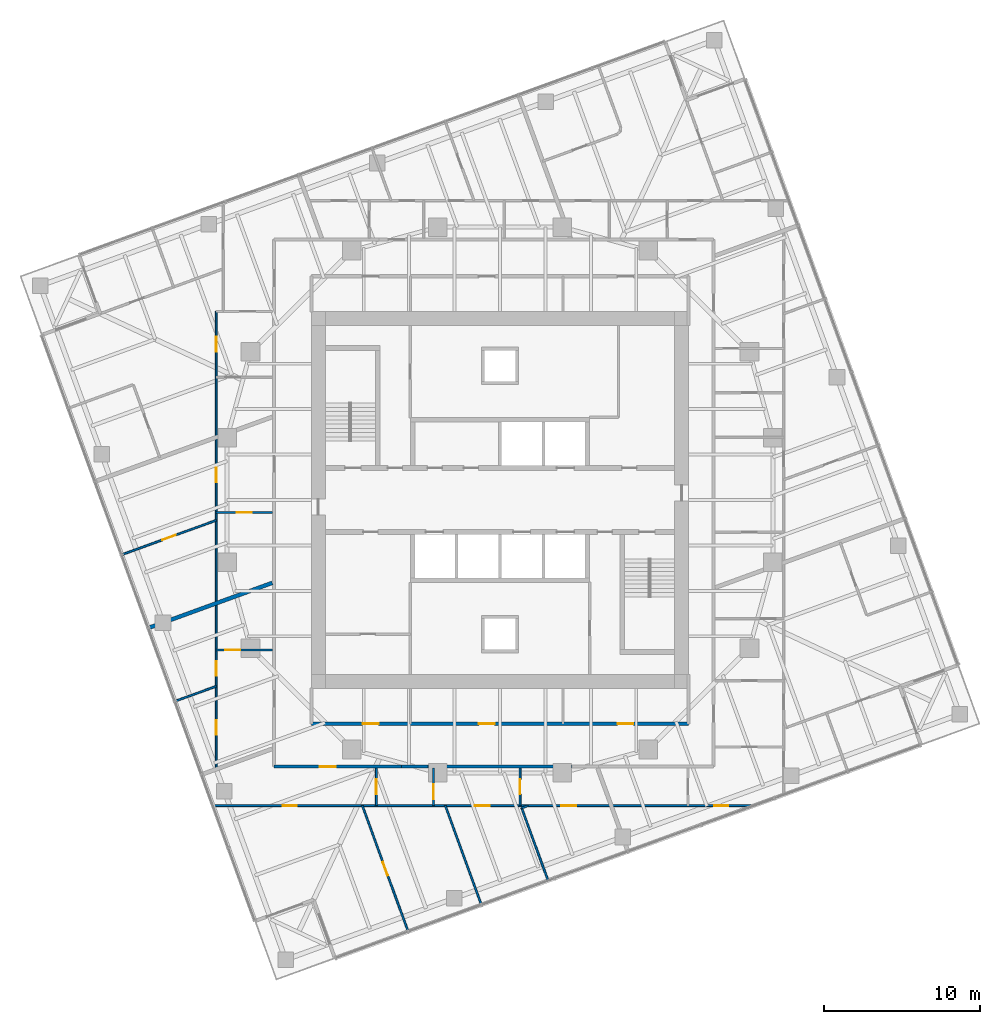
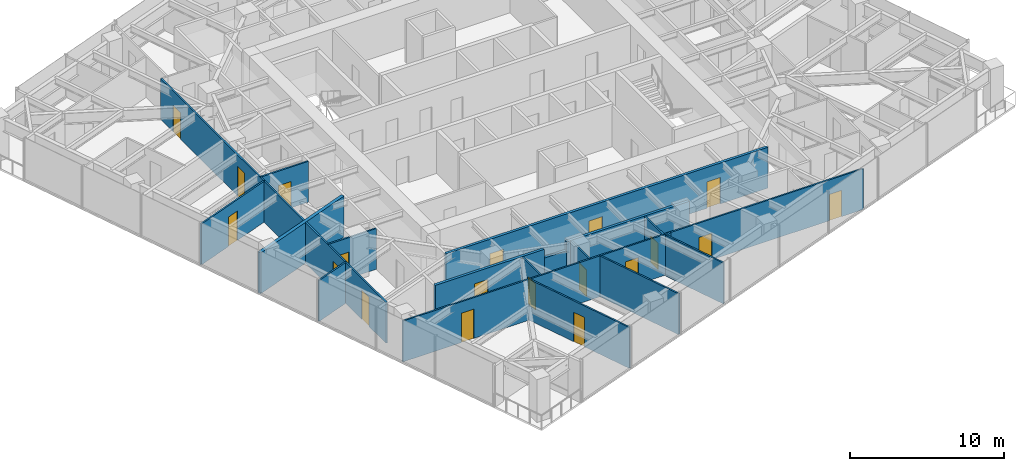
# One storey, part 7 of 13: 19 doors, 18 walls, 19 openings.
"""IFC4 building model written with IfcOpenShell, lengths in metres."""

from ifc_helpers import new_model, si_unit, direction, frame, frame_2d, origin, place, context, subcontext, project, spatial, rectangle, extrude, material, layer, layer_set, type_object, element, fill, save


model = new_model("IFC4")

# Units and contexts
model_context = context("Model", 3, precision=1e-05, world=origin(), true_north=direction((0.0, 1.0)))
body_context = subcontext(model_context, "Body", "Model", "MODEL_VIEW")
ifc_project = project(units=[si_unit("LENGTHUNIT", "METRE"), si_unit("AREAUNIT", "SQUARE_METRE"), si_unit("VOLUMEUNIT", "CUBIC_METRE"), si_unit("PLANEANGLEUNIT", "RADIAN"), si_unit("MASSUNIT", "GRAM", prefix="KILO")], contexts=[model_context])

# Site, building, storey
site_placement = place(None, origin())
site = spatial("IfcSite", under=ifc_project, at=site_placement, CompositionType="ELEMENT")
building_placement = place(site_placement, origin())
building = spatial("IfcBuilding", under=site, at=building_placement, Name="Torsade Residences", CompositionType="ELEMENT")
storey_placement = place(building_placement, frame((0.0, 0.0, 164.199951171875)))
storey = spatial("IfcBuildingStorey", under=building, at=storey_placement, Name="L45", CompositionType="ELEMENT", Elevation=164.199951171875)

# Wall, opening, door
ifc_material_1 = material(Name="Plasterboard on steel stud", Category="steel")
ifc_layer_1 = layer(ifc_material_1, 0.199951171875)
ifc_layer_set_1 = layer_set([ifc_layer_1], Name="Plasterboard on steel stud")
wall_type_1 = type_object("IfcWallType", Name="CORRIDOR WALL 200", PredefinedType="PARTITIONING", material=ifc_layer_set_1)
wall_1_placement = place(storey_placement, frame((25.5, 12.89990234375, 0.0), z_axis=(0.0, 0.0, 1.0), x_axis=(1.0, 0.0, 0.0)))
wall_1 = element("IfcWall", 1, at=wall_1_placement, inside=storey, type_object=wall_type_1, Name="Corridor wall L45", PredefinedType="PARTITIONING", context=body_context, shape_type="SweptSolid", body=[
    extrude(rectangle(XDim=8.191650390625, YDim=0.199951171875, at=frame_2d((4.095703125, 0.0))), origin(), (0.0, 0.0, 1.0), 3.25),
])
opening_1_placement = place(wall_1_placement, frame((2.9501953125, 0.0, 0.0)))
opening_1 = element("IfcOpeningElement", 2, at=opening_1_placement, cuts=wall_1, Name="Opening D01", PredefinedType="OPENING", context=body_context, shape_type="SweptSolid", body=[
    extrude(rectangle(XDim=1.02001953125, YDim=2.340087890625, at=frame_2d((0.510009765625, 1.169921875))), frame((0.0, 0.10986328125, 0.0), z_axis=(0.0, -1.0, 0.0), x_axis=(1.0, 0.0, 0.0)), (0.0, 0.0, 1.0), 0.219970703125),
])
ifc_material_2 = material(Name="Solid-core timber fire door", Category="wood")
door_type_1 = type_object("IfcDoorType", Name="APARTMENT ENTRY DOOR 1020x2340", OperationType="NOTDEFINED", PredefinedType="DOOR", material=ifc_material_2)
door_1_placement = place(opening_1_placement, origin())
door_1 = element("IfcDoor", 3, at=door_1_placement, inside=storey, type_object=door_type_1, Name="Door Residential corridor to Kitchen and dining", OperationType="SINGLE_SWING_LEFT", OverallHeight=2.340087890625, OverallWidth=1.02001953125, PredefinedType="DOOR", context=body_context, shape_type="SweptSolid", body=[
    extrude(rectangle(XDim=1.02001953125, YDim=2.340087890625, at=frame_2d((0.510009765625, 1.169921875))), frame((0.0, 0.02490234375, 0.0), z_axis=(0.0, -1.0, 0.0), x_axis=(1.0, 0.0, 0.0)), (0.0, 0.0, 1.0), 0.050048828125),
])
fill(opening_1, door_1)

# Walls
wall_2_placement = place(storey_placement, frame((33.691650390625, 12.89990234375, 0.0), z_axis=(0.0, 0.0, 1.0), x_axis=(1.0, 0.0, 0.0)))
element("IfcWall", 4, at=wall_2_placement, inside=storey, type_object=wall_type_1, Name="Corridor wall L45", PredefinedType="PARTITIONING", context=body_context, shape_type="SweptSolid", body=[
    extrude(rectangle(XDim=1.683349609375, YDim=0.199951171875, at=frame_2d((0.841796875, 0.0))), origin(), (0.0, 0.0, 1.0), 2.550048828125),
])
wall_3_placement = place(storey_placement, frame((35.375, 12.89990234375, 0.0), z_axis=(0.0, 0.0, 1.0), x_axis=(1.0, 0.0, 0.0)))
element("IfcWall", 5, at=wall_3_placement, inside=storey, type_object=wall_type_1, Name="Corridor wall L45", PredefinedType="PARTITIONING", context=body_context, shape_type="SweptSolid", body=[
    extrude(rectangle(XDim=9.25, YDim=0.199951171875, at=frame_2d((4.625, 0.0))), origin(), (0.0, 0.0, 1.0), 3.25),
])

# Wall, openings, doors
wall_4_placement = place(storey_placement, frame((27.89990234375, 15.64990234375, 0.0), z_axis=(0.0, 0.0, 1.0), x_axis=(1.0, 0.0, 0.0)))
wall_4 = element("IfcWall", 6, at=wall_4_placement, inside=storey, type_object=wall_type_1, Name="Corridor wall L45", PredefinedType="PARTITIONING", context=body_context, shape_type="SweptSolid", body=[
    extrude(rectangle(XDim=24.2001953125, YDim=0.199951171875, at=frame_2d((12.10009765625, 0.0))), origin(), (0.0, 0.0, 1.0), 3.25),
])
opening_2_placement = place(wall_4_placement, frame((10.742919921875, 0.0, 0.0)))
opening_2 = element("IfcOpeningElement", 7, at=opening_2_placement, cuts=wall_4, Name="Opening D03", PredefinedType="OPENING", context=body_context, shape_type="SweptSolid", body=[
    extrude(rectangle(XDim=1.02001953125, YDim=2.10009765625, at=frame_2d((0.510009765625, 1.050048828125))), frame((0.0, 0.10986328125, 0.0), z_axis=(0.0, -1.0, 0.0), x_axis=(1.0, 0.0, 0.0)), (0.0, 0.0, 1.0), 0.219970703125),
])
opening_3_placement = place(wall_4_placement, frame((19.6357421875, 0.0, 0.0)))
opening_3 = element("IfcOpeningElement", 8, at=opening_3_placement, cuts=wall_4, Name="Opening D03", PredefinedType="OPENING", context=body_context, shape_type="SweptSolid", body=[
    extrude(rectangle(XDim=1.02001953125, YDim=2.10009765625, at=frame_2d((0.510009765625, 1.050048828125))), frame((0.0, 0.10986328125, 0.0), z_axis=(0.0, -1.0, 0.0), x_axis=(1.0, 0.0, 0.0)), (0.0, 0.0, 1.0), 0.219970703125),
])
opening_4_placement = place(wall_4_placement, frame((3.29736328125, 0.0, 0.0)))
opening_4 = element("IfcOpeningElement", 9, at=opening_4_placement, cuts=wall_4, Name="Opening D03", PredefinedType="OPENING", context=body_context, shape_type="SweptSolid", body=[
    extrude(rectangle(XDim=1.02001953125, YDim=2.10009765625, at=frame_2d((0.510009765625, 1.050048828125))), frame((0.0, 0.10986328125, 0.0), z_axis=(0.0, -1.0, 0.0), x_axis=(1.0, 0.0, 0.0)), (0.0, 0.0, 1.0), 0.219970703125),
])
ifc_material_3 = material(Name="Steel-framed fire door", Category="steel")
door_type_2 = type_object("IfcDoorType", Name="FIRE DOOR 1020", OperationType="NOTDEFINED", PredefinedType="DOOR", material=ifc_material_3)
door_2_placement = place(opening_2_placement, origin())
door_2 = element("IfcDoor", 10, at=door_2_placement, inside=storey, type_object=door_type_2, Name="Door Residential corridor to Residents storage", OperationType="SINGLE_SWING_RIGHT", OverallHeight=2.10009765625, OverallWidth=1.02001953125, PredefinedType="DOOR", context=body_context, shape_type="SweptSolid", body=[
    extrude(rectangle(XDim=1.02001953125, YDim=2.10009765625, at=frame_2d((0.510009765625, 1.050048828125))), frame((0.0, 0.02490234375, 0.0), z_axis=(0.0, -1.0, 0.0), x_axis=(1.0, 0.0, 0.0)), (0.0, 0.0, 1.0), 0.050048828125),
])
fill(opening_2, door_2)
door_3_placement = place(opening_3_placement, origin())
door_3 = element("IfcDoor", 11, at=door_3_placement, inside=storey, type_object=door_type_2, Name="Door Residential corridor to Parcel room", OperationType="SINGLE_SWING_RIGHT", OverallHeight=2.10009765625, OverallWidth=1.02001953125, PredefinedType="DOOR", context=body_context, shape_type="SweptSolid", body=[
    extrude(rectangle(XDim=1.02001953125, YDim=2.10009765625, at=frame_2d((0.510009765625, 1.050048828125))), frame((0.0, 0.02490234375, 0.0), z_axis=(0.0, -1.0, 0.0), x_axis=(1.0, 0.0, 0.0)), (0.0, 0.0, 1.0), 0.050048828125),
])
fill(opening_3, door_3)
door_4_placement = place(opening_4_placement, origin())
door_4 = element("IfcDoor", 12, at=door_4_placement, inside=storey, type_object=door_type_2, Name="Door Residential corridor to Bulk store", OperationType="SINGLE_SWING_RIGHT", OverallHeight=2.10009765625, OverallWidth=1.02001953125, PredefinedType="DOOR", context=body_context, shape_type="SweptSolid", body=[
    extrude(rectangle(XDim=1.02001953125, YDim=2.10009765625, at=frame_2d((0.510009765625, 1.050048828125))), frame((0.0, 0.02490234375, 0.0), z_axis=(0.0, -1.0, 0.0), x_axis=(1.0, 0.0, 0.0)), (0.0, 0.0, 1.0), 0.050048828125),
])
fill(opening_4, door_4)

# Wall, opening, door
ifc_material_4 = material(Name="Plasterboard on steel stud", Category="steel")
ifc_layer_2 = layer(ifc_material_4, 0.1201171875)
ifc_layer_set_2 = layer_set([ifc_layer_2], Name="Plasterboard on steel stud")
wall_type_2 = type_object("IfcWallType", Name="PARTITION 120", PredefinedType="PARTITIONING", material=ifc_layer_set_2)
wall_5_placement = place(storey_placement, frame((25.39990234375, 29.201171875, 0.0), z_axis=(0.0, 0.0, 1.0), x_axis=(-1.0, 0.0, 0.0)))
wall_5 = element("IfcWall", 13, at=wall_5_placement, inside=storey, type_object=wall_type_2, Name="Partition L45", PredefinedType="PARTITIONING", context=body_context, shape_type="SweptSolid", body=[
    extrude(rectangle(XDim=3.599853515625, YDim=0.1201171875, at=frame_2d((1.7998046875, 0.0))), origin(), (0.0, 0.0, 1.0), 3.25),
])
opening_5_placement = place(wall_5_placement, frame((1.320068359375, 0.0, 0.0)))
opening_5 = element("IfcOpeningElement", 14, at=opening_5_placement, cuts=wall_5, Name="Opening D05", PredefinedType="OPENING", context=body_context, shape_type="SweptSolid", body=[
    extrude(rectangle(XDim=0.9599609375, YDim=2.10009765625, at=frame_2d((0.47998046875, 1.050048828125))), frame((0.0, 0.070068359375, 0.0), z_axis=(0.0, -1.0, 0.0), x_axis=(1.0, 0.0, 0.0)), (0.0, 0.0, 1.0), 0.14013671875),
])
ifc_material_5 = material(Name="Hollow-core timber door in a steel cavity frame", Category="steel")
door_type_3 = type_object("IfcDoorType", Name="BATHROOM CAVITY SLIDING DOOR 960", OperationType="SLIDING_TO_LEFT", PredefinedType="DOOR", material=ifc_material_5)
door_5_placement = place(opening_5_placement, origin())
door_5 = element("IfcDoor", 15, at=door_5_placement, inside=storey, type_object=door_type_3, Name="Door Kitchen and dining to Bathroom", OperationType="SLIDING_TO_LEFT", OverallHeight=2.10009765625, OverallWidth=0.9599609375, PredefinedType="DOOR", context=body_context, shape_type="SweptSolid", body=[
    extrude(rectangle(XDim=0.9599609375, YDim=2.10009765625, at=frame_2d((0.47998046875, 1.050048828125))), frame((0.0, 0.02490234375, 0.0), z_axis=(0.0, -1.0, 0.0), x_axis=(1.0, 0.0, 0.0)), (0.0, 0.0, 1.0), 0.050048828125),
])
fill(opening_5, door_5)

# Wall, openings, doors
wall_6_placement = place(storey_placement, frame((21.800048828125, 12.73388671875, 0.0), z_axis=(0.0, 0.0, 1.0), x_axis=(0.0, 1.0, 0.0)))
wall_6 = element("IfcWall", 16, at=wall_6_placement, inside=storey, type_object=wall_type_2, Name="Partition L45", PredefinedType="PARTITIONING", context=body_context, shape_type="SweptSolid", body=[
    extrude(rectangle(XDim=29.356689453125, YDim=0.1201171875, at=frame_2d((14.67822265625, 0.0))), origin(), (0.0, 0.0, 1.0), 3.25),
])
opening_6_placement = place(wall_6_placement, frame((2.22705078125, 0.0, 0.0)))
opening_6 = element("IfcOpeningElement", 17, at=opening_6_placement, cuts=wall_6, Name="Opening D02", PredefinedType="OPENING", context=body_context, shape_type="SweptSolid", body=[
    extrude(rectangle(XDim=0.919921875, YDim=2.340087890625, at=frame_2d((0.4599609375, 1.169921875))), frame((0.0, 0.070068359375, 0.0), z_axis=(0.0, -1.0, 0.0), x_axis=(1.0, 0.0, 0.0)), (0.0, 0.0, 1.0), 0.14013671875),
])
opening_7_placement = place(wall_6_placement, frame((5.995849609375, 0.0, 0.0)))
opening_7 = element("IfcOpeningElement", 18, at=opening_7_placement, cuts=wall_6, Name="Opening D02", PredefinedType="OPENING", context=body_context, shape_type="SweptSolid", body=[
    extrude(rectangle(XDim=0.919921875, YDim=2.340087890625, at=frame_2d((0.4599609375, 1.169921875))), frame((0.0, 0.070068359375, 0.0), z_axis=(0.0, -1.0, 0.0), x_axis=(1.0, 0.0, 0.0)), (0.0, 0.0, 1.0), 0.14013671875),
])
opening_8_placement = place(wall_6_placement, frame((18.415283203125, 0.0, 0.0)))
opening_8 = element("IfcOpeningElement", 19, at=opening_8_placement, cuts=wall_6, Name="Opening D02", PredefinedType="OPENING", context=body_context, shape_type="SweptSolid", body=[
    extrude(rectangle(XDim=0.919921875, YDim=2.340087890625, at=frame_2d((0.4599609375, 1.169921875))), frame((0.0, 0.070068359375, 0.0), z_axis=(0.0, -1.0, 0.0), x_axis=(1.0, 0.0, 0.0)), (0.0, 0.0, 1.0), 0.14013671875),
])
opening_9_placement = place(wall_6_placement, frame((26.76904296875, 0.0, 0.0)))
opening_9 = element("IfcOpeningElement", 20, at=opening_9_placement, cuts=wall_6, Name="Opening D05", PredefinedType="OPENING", context=body_context, shape_type="SweptSolid", body=[
    extrude(rectangle(XDim=0.9599609375, YDim=2.10009765625, at=frame_2d((0.47998046875, 1.050048828125))), frame((0.0, 0.070068359375, 0.0), z_axis=(0.0, -1.0, 0.0), x_axis=(1.0, 0.0, 0.0)), (0.0, 0.0, 1.0), 0.14013671875),
])
door_6_placement = place(opening_9_placement, origin())
door_6 = element("IfcDoor", 21, at=door_6_placement, inside=storey, type_object=door_type_3, Name="Door Bathroom to Living room", OperationType="SLIDING_TO_LEFT", OverallHeight=2.10009765625, OverallWidth=0.9599609375, PredefinedType="DOOR", context=body_context, shape_type="SweptSolid", body=[
    extrude(rectangle(XDim=0.9599609375, YDim=2.10009765625, at=frame_2d((0.47998046875, 1.050048828125))), frame((0.0, 0.02490234375, 0.0), z_axis=(0.0, -1.0, 0.0), x_axis=(1.0, 0.0, 0.0)), (0.0, 0.0, 1.0), 0.050048828125),
])
fill(opening_9, door_6)
ifc_material_6 = material(Name="Hollow-core timber door", Category="wood")
door_type_4 = type_object("IfcDoorType", Name="INTERNAL DOOR 920x2340", OperationType="NOTDEFINED", PredefinedType="DOOR", material=ifc_material_6)
door_7_placement = place(opening_6_placement, origin())
door_7 = element("IfcDoor", 22, at=door_7_placement, inside=storey, type_object=door_type_4, Name="Door Kitchen and dining to Bedroom 1", OperationType="SINGLE_SWING_RIGHT", OverallHeight=2.340087890625, OverallWidth=0.919921875, PredefinedType="DOOR", context=body_context, shape_type="SweptSolid", body=[
    extrude(rectangle(XDim=0.919921875, YDim=2.340087890625, at=frame_2d((0.4599609375, 1.169921875))), frame((0.0, 0.02490234375, 0.0), z_axis=(0.0, -1.0, 0.0), x_axis=(1.0, 0.0, 0.0)), (0.0, 0.0, 1.0), 0.050048828125),
])
fill(opening_6, door_7)
door_8_placement = place(opening_7_placement, origin())
door_8 = element("IfcDoor", 23, at=door_8_placement, inside=storey, type_object=door_type_4, Name="Door Kitchen and dining to Living room", OperationType="SINGLE_SWING_LEFT", OverallHeight=2.340087890625, OverallWidth=0.919921875, PredefinedType="DOOR", context=body_context, shape_type="SweptSolid", body=[
    extrude(rectangle(XDim=0.919921875, YDim=2.340087890625, at=frame_2d((0.4599609375, 1.169921875))), frame((0.0, 0.02490234375, 0.0), z_axis=(0.0, -1.0, 0.0), x_axis=(1.0, 0.0, 0.0)), (0.0, 0.0, 1.0), 0.050048828125),
])
fill(opening_7, door_8)
door_9_placement = place(opening_8_placement, origin())
door_9 = element("IfcDoor", 24, at=door_9_placement, inside=storey, type_object=door_type_4, Name="Door Kitchen and dining to Living room", OperationType="SINGLE_SWING_RIGHT", OverallHeight=2.340087890625, OverallWidth=0.919921875, PredefinedType="DOOR", context=body_context, shape_type="SweptSolid", body=[
    extrude(rectangle(XDim=0.919921875, YDim=2.340087890625, at=frame_2d((0.4599609375, 1.169921875))), frame((0.0, 0.02490234375, 0.0), z_axis=(0.0, -1.0, 0.0), x_axis=(1.0, 0.0, 0.0)), (0.0, 0.0, 1.0), 0.050048828125),
])
fill(opening_8, door_9)

# Wall, opening, door
wall_7_placement = place(storey_placement, frame((21.800048828125, 28.696533203125, 0.0), z_axis=(0.0, 0.0, 1.0), x_axis=(-0.939697777766, -0.342005974306, 0.0)))
wall_7 = element("IfcWall", 25, at=wall_7_placement, inside=storey, type_object=wall_type_2, Name="Partition L45", PredefinedType="PARTITIONING", context=body_context, shape_type="SweptSolid", body=[
    extrude(rectangle(XDim=6.411865234375, YDim=0.1201171875, at=frame_2d((3.2060546875, 0.0))), origin(), (0.0, 0.0, 1.0), 3.25),
])
opening_10_placement = place(wall_7_placement, frame((2.765869140625, 0.0, 0.0)))
opening_10 = element("IfcOpeningElement", 26, at=opening_10_placement, cuts=wall_7, Name="Opening D02", PredefinedType="OPENING", context=body_context, shape_type="SweptSolid", body=[
    extrude(rectangle(XDim=0.919921875, YDim=2.340087890625, at=frame_2d((0.4599609375, 1.169921875))), frame((0.0, 0.070068359375, 0.0), z_axis=(0.0, -1.0, 0.0), x_axis=(1.0, 0.0, 0.0)), (0.0, 0.0, 1.0), 0.14013671875),
])
door_10_placement = place(opening_10_placement, origin())
door_10 = element("IfcDoor", 27, at=door_10_placement, inside=storey, type_object=door_type_4, Name="Door Living room to Bedroom 1", OperationType="SINGLE_SWING_LEFT", OverallHeight=2.340087890625, OverallWidth=0.919921875, PredefinedType="DOOR", context=body_context, shape_type="SweptSolid", body=[
    extrude(rectangle(XDim=0.919921875, YDim=2.340087890625, at=frame_2d((0.4599609375, 1.169921875))), frame((0.0, 0.02490234375, 0.0), z_axis=(0.0, -1.0, 0.0), x_axis=(1.0, 0.0, 0.0)), (0.0, 0.0, 1.0), 0.050048828125),
])
fill(opening_10, door_10)

wall_8_placement = place(storey_placement, frame((21.800048828125, 20.377685546875, 0.0), z_axis=(0.0, 0.0, 1.0), x_axis=(1.0, 0.0, 0.0)))
wall_8 = element("IfcWall", 28, at=wall_8_placement, inside=storey, type_object=wall_type_2, Name="Partition L45", PredefinedType="PARTITIONING", context=body_context, shape_type="SweptSolid", body=[
    extrude(rectangle(XDim=3.599853515625, YDim=0.1201171875, at=frame_2d((1.7998046875, 0.0))), origin(), (0.0, 0.0, 1.0), 3.25),
])
opening_11_placement = place(wall_8_placement, frame((0.570068359375, 0.0, 0.0)))
opening_11 = element("IfcOpeningElement", 29, at=opening_11_placement, cuts=wall_8, Name="Opening D05", PredefinedType="OPENING", context=body_context, shape_type="SweptSolid", body=[
    extrude(rectangle(XDim=0.9599609375, YDim=2.10009765625, at=frame_2d((0.47998046875, 1.050048828125))), frame((0.0, 0.070068359375, 0.0), z_axis=(0.0, -1.0, 0.0), x_axis=(1.0, 0.0, 0.0)), (0.0, 0.0, 1.0), 0.14013671875),
])
door_11_placement = place(opening_11_placement, origin())
door_11 = element("IfcDoor", 30, at=door_11_placement, inside=storey, type_object=door_type_3, Name="Door Kitchen and dining to Bathroom", OperationType="SLIDING_TO_LEFT", OverallHeight=2.10009765625, OverallWidth=0.9599609375, PredefinedType="DOOR", context=body_context, shape_type="SweptSolid", body=[
    extrude(rectangle(XDim=0.9599609375, YDim=2.10009765625, at=frame_2d((0.47998046875, 1.050048828125))), frame((0.0, 0.02490234375, 0.0), z_axis=(0.0, -1.0, 0.0), x_axis=(1.0, 0.0, 0.0)), (0.0, 0.0, 1.0), 0.050048828125),
])
fill(opening_11, door_11)

# Wall
wall_9_placement = place(storey_placement, frame((21.800048828125, 18.054931640625, 0.0), z_axis=(0.0, 0.0, 1.0), x_axis=(-0.939680234176, -0.34205417334, 0.0)))
element("IfcWall", 31, at=wall_9_placement, inside=storey, type_object=wall_type_2, Name="Partition L45", PredefinedType="PARTITIONING", context=body_context, shape_type="SweptSolid", body=[
    extrude(rectangle(XDim=2.772216796875, YDim=0.1201171875, at=frame_2d((1.38623046875, 0.0))), origin(), (0.0, 0.0, 1.0), 3.25),
])

# Wall, opening, door
wall_10_placement = place(storey_placement, frame((32.070556640625, 12.800048828125, 0.0), z_axis=(0.0, 0.0, 1.0), x_axis=(0.0, -1.0, 0.0)))
wall_10 = element("IfcWall", 32, at=wall_10_placement, inside=storey, type_object=wall_type_2, Name="Partition L45", PredefinedType="PARTITIONING", context=body_context, shape_type="SweptSolid", body=[
    extrude(rectangle(XDim=2.400146484375, YDim=0.1201171875, at=frame_2d((1.2001953125, 0.0))), origin(), (0.0, 0.0, 1.0), 3.25),
])
opening_12_placement = place(wall_10_placement, frame((0.719970703125, 0.0, 0.0)))
opening_12 = element("IfcOpeningElement", 33, at=opening_12_placement, cuts=wall_10, Name="Opening D05", PredefinedType="OPENING", context=body_context, shape_type="SweptSolid", body=[
    extrude(rectangle(XDim=0.9599609375, YDim=2.10009765625, at=frame_2d((0.47998046875, 1.050048828125))), frame((0.0, 0.070068359375, 0.0), z_axis=(0.0, -1.0, 0.0), x_axis=(1.0, 0.0, 0.0)), (0.0, 0.0, 1.0), 0.14013671875),
])
door_12_placement = place(opening_12_placement, origin())
door_12 = element("IfcDoor", 34, at=door_12_placement, inside=storey, type_object=door_type_3, Name="Door Kitchen and dining to Laundry", OperationType="SLIDING_TO_LEFT", OverallHeight=2.10009765625, OverallWidth=0.9599609375, PredefinedType="DOOR", context=body_context, shape_type="SweptSolid", body=[
    extrude(rectangle(XDim=0.9599609375, YDim=2.10009765625, at=frame_2d((0.47998046875, 1.050048828125))), frame((0.0, 0.02490234375, 0.0), z_axis=(0.0, -1.0, 0.0), x_axis=(1.0, 0.0, 0.0)), (0.0, 0.0, 1.0), 0.050048828125),
])
fill(opening_12, door_12)

# Wall, openings, doors
wall_11_placement = place(storey_placement, frame((56.28076171875, 10.39990234375, 0.0), z_axis=(0.0, 0.0, 1.0), x_axis=(-1.0, 0.0, 0.0)))
wall_11 = element("IfcWall", 35, at=wall_11_placement, inside=storey, type_object=wall_type_2, Name="Partition L45", PredefinedType="PARTITIONING", context=body_context, shape_type="SweptSolid", body=[
    extrude(rectangle(XDim=34.647216796875, YDim=0.1201171875, at=frame_2d((17.32373046875, 0.0))), origin(), (0.0, 0.0, 1.0), 3.25),
])
opening_13_placement = place(wall_11_placement, frame((29.30859375, 0.0, 0.0)))
opening_13 = element("IfcOpeningElement", 36, at=opening_13_placement, cuts=wall_11, Name="Opening D02", PredefinedType="OPENING", context=body_context, shape_type="SweptSolid", body=[
    extrude(rectangle(XDim=0.919921875, YDim=2.340087890625, at=frame_2d((0.4599609375, 1.169921875))), frame((0.0, 0.070068359375, 0.0), z_axis=(0.0, -1.0, 0.0), x_axis=(1.0, 0.0, 0.0)), (0.0, 0.0, 1.0), 0.14013671875),
])
opening_14_placement = place(wall_11_placement, frame((1.63232421875, 0.0, 0.0)))
opening_14 = element("IfcOpeningElement", 37, at=opening_14_placement, cuts=wall_11, Name="Opening D02L", PredefinedType="OPENING", context=body_context, shape_type="SweptSolid", body=[
    extrude(rectangle(XDim=0.919921875, YDim=2.10009765625, at=frame_2d((0.4599609375, 1.050048828125))), frame((0.0, 0.070068359375, 0.0), z_axis=(0.0, -1.0, 0.0), x_axis=(1.0, 0.0, 0.0)), (0.0, 0.0, 1.0), 0.14013671875),
])
opening_15_placement = place(wall_11_placement, frame((16.937744140625, 0.0, 0.0)))
opening_15 = element("IfcOpeningElement", 38, at=opening_15_placement, cuts=wall_11, Name="Opening D05", PredefinedType="OPENING", context=body_context, shape_type="SweptSolid", body=[
    extrude(rectangle(XDim=0.9599609375, YDim=2.10009765625, at=frame_2d((0.47998046875, 1.050048828125))), frame((0.0, 0.070068359375, 0.0), z_axis=(0.0, -1.0, 0.0), x_axis=(1.0, 0.0, 0.0)), (0.0, 0.0, 1.0), 0.14013671875),
])
opening_16_placement = place(wall_11_placement, frame((11.400390625, 0.0, 0.0)))
opening_16 = element("IfcOpeningElement", 39, at=opening_16_placement, cuts=wall_11, Name="Opening D05", PredefinedType="OPENING", context=body_context, shape_type="SweptSolid", body=[
    extrude(rectangle(XDim=0.9599609375, YDim=2.10009765625, at=frame_2d((0.47998046875, 1.050048828125))), frame((0.0, 0.070068359375, 0.0), z_axis=(0.0, -1.0, 0.0), x_axis=(1.0, 0.0, 0.0)), (0.0, 0.0, 1.0), 0.14013671875),
])
door_13_placement = place(opening_15_placement, origin())
door_13 = element("IfcDoor", 40, at=door_13_placement, inside=storey, type_object=door_type_3, Name="Door Bathroom to Bedroom 2", OperationType="SLIDING_TO_LEFT", OverallHeight=2.10009765625, OverallWidth=0.9599609375, PredefinedType="DOOR", context=body_context, shape_type="SweptSolid", body=[
    extrude(rectangle(XDim=0.9599609375, YDim=2.10009765625, at=frame_2d((0.47998046875, 1.050048828125))), frame((0.0, 0.02490234375, 0.0), z_axis=(0.0, -1.0, 0.0), x_axis=(1.0, 0.0, 0.0)), (0.0, 0.0, 1.0), 0.050048828125),
])
fill(opening_15, door_13)
door_14_placement = place(opening_16_placement, origin())
door_14 = element("IfcDoor", 41, at=door_14_placement, inside=storey, type_object=door_type_3, Name="Door Ensuite to Bedroom 3", OperationType="SLIDING_TO_LEFT", OverallHeight=2.10009765625, OverallWidth=0.9599609375, PredefinedType="DOOR", context=body_context, shape_type="SweptSolid", body=[
    extrude(rectangle(XDim=0.9599609375, YDim=2.10009765625, at=frame_2d((0.47998046875, 1.050048828125))), frame((0.0, 0.02490234375, 0.0), z_axis=(0.0, -1.0, 0.0), x_axis=(1.0, 0.0, 0.0)), (0.0, 0.0, 1.0), 0.050048828125),
])
fill(opening_16, door_14)
ifc_material_7 = material(Name="Hollow-core timber door", Category="wood")
door_type_5 = type_object("IfcDoorType", Name="INTERNAL DOOR 920x2100", OperationType="NOTDEFINED", PredefinedType="DOOR", material=ifc_material_7)
door_15_placement = place(opening_14_placement, origin())
door_15 = element("IfcDoor", 42, at=door_15_placement, inside=storey, type_object=door_type_5, Name="Door Scullery to Study", OperationType="SINGLE_SWING_RIGHT", OverallHeight=2.10009765625, OverallWidth=0.919921875, PredefinedType="DOOR", context=body_context, shape_type="SweptSolid", body=[
    extrude(rectangle(XDim=0.919921875, YDim=2.10009765625, at=frame_2d((0.4599609375, 1.050048828125))), frame((0.0, 0.02490234375, 0.0), z_axis=(0.0, -1.0, 0.0), x_axis=(1.0, 0.0, 0.0)), (0.0, 0.0, 1.0), 0.050048828125),
])
fill(opening_14, door_15)
door_16_placement = place(opening_13_placement, origin())
door_16 = element("IfcDoor", 43, at=door_16_placement, inside=storey, type_object=door_type_4, Name="Door Kitchen and dining to Living room", OperationType="SINGLE_SWING_LEFT", OverallHeight=2.340087890625, OverallWidth=0.919921875, PredefinedType="DOOR", context=body_context, shape_type="SweptSolid", body=[
    extrude(rectangle(XDim=0.919921875, YDim=2.340087890625, at=frame_2d((0.4599609375, 1.169921875))), frame((0.0, 0.02490234375, 0.0), z_axis=(0.0, -1.0, 0.0), x_axis=(1.0, 0.0, 0.0)), (0.0, 0.0, 1.0), 0.050048828125),
])
fill(opening_13, door_16)

# Wall, opening, door
wall_12_placement = place(storey_placement, frame((41.287109375, 12.800048828125, 0.0), z_axis=(0.0, 0.0, 1.0), x_axis=(0.0, -1.0, 0.0)))
wall_12 = element("IfcWall", 44, at=wall_12_placement, inside=storey, type_object=wall_type_2, Name="Partition L45", PredefinedType="PARTITIONING", context=body_context, shape_type="SweptSolid", body=[
    extrude(rectangle(XDim=2.400146484375, YDim=0.1201171875, at=frame_2d((1.2001953125, 0.0))), origin(), (0.0, 0.0, 1.0), 3.25),
])
opening_17_placement = place(wall_12_placement, frame((0.719970703125, 0.0, 0.0)))
opening_17 = element("IfcOpeningElement", 45, at=opening_17_placement, cuts=wall_12, Name="Opening D05", PredefinedType="OPENING", context=body_context, shape_type="SweptSolid", body=[
    extrude(rectangle(XDim=0.9599609375, YDim=2.10009765625, at=frame_2d((0.47998046875, 1.050048828125))), frame((0.0, 0.070068359375, 0.0), z_axis=(0.0, -1.0, 0.0), x_axis=(1.0, 0.0, 0.0)), (0.0, 0.0, 1.0), 0.14013671875),
])
door_17_placement = place(opening_17_placement, origin())
door_17 = element("IfcDoor", 46, at=door_17_placement, inside=storey, type_object=door_type_3, Name="Door Bathroom to Ensuite", OperationType="SLIDING_TO_LEFT", OverallHeight=2.10009765625, OverallWidth=0.9599609375, PredefinedType="DOOR", context=body_context, shape_type="SweptSolid", body=[
    extrude(rectangle(XDim=0.9599609375, YDim=2.10009765625, at=frame_2d((0.47998046875, 1.050048828125))), frame((0.0, 0.02490234375, 0.0), z_axis=(0.0, -1.0, 0.0), x_axis=(1.0, 0.0, 0.0)), (0.0, 0.0, 1.0), 0.050048828125),
])
fill(opening_17, door_17)

wall_13_placement = place(storey_placement, frame((35.737060546875, 10.39990234375, 0.0), z_axis=(0.0, 0.0, 1.0), x_axis=(0.0, 1.0, 0.0)))
wall_13 = element("IfcWall", 47, at=wall_13_placement, inside=storey, type_object=wall_type_2, Name="Partition L45", PredefinedType="PARTITIONING", context=body_context, shape_type="SweptSolid", body=[
    extrude(rectangle(XDim=2.400146484375, YDim=0.1201171875, at=frame_2d((1.2001953125, 0.0))), origin(), (0.0, 0.0, 1.0), 3.25),
])
opening_18_placement = place(wall_13_placement, frame((0.419921875, 0.0, 0.0)))
opening_18 = element("IfcOpeningElement", 48, at=opening_18_placement, cuts=wall_13, Name="Opening D05", PredefinedType="OPENING", context=body_context, shape_type="SweptSolid", body=[
    extrude(rectangle(XDim=0.9599609375, YDim=2.10009765625, at=frame_2d((0.47998046875, 1.050048828125))), frame((0.0, 0.070068359375, 0.0), z_axis=(0.0, -1.0, 0.0), x_axis=(1.0, 0.0, 0.0)), (0.0, 0.0, 1.0), 0.14013671875),
])
door_18_placement = place(opening_18_placement, origin())
door_18 = element("IfcDoor", 49, at=door_18_placement, inside=storey, type_object=door_type_3, Name="Door Laundry to Bathroom", OperationType="SLIDING_TO_LEFT", OverallHeight=2.10009765625, OverallWidth=0.9599609375, PredefinedType="DOOR", context=body_context, shape_type="SweptSolid", body=[
    extrude(rectangle(XDim=0.9599609375, YDim=2.10009765625, at=frame_2d((0.47998046875, 1.050048828125))), frame((0.0, 0.02490234375, 0.0), z_axis=(0.0, -1.0, 0.0), x_axis=(1.0, 0.0, 0.0)), (0.0, 0.0, 1.0), 0.050048828125),
])
fill(opening_18, door_18)

wall_14_placement = place(storey_placement, frame((31.171142578125, 10.39990234375, 0.0), z_axis=(0.0, 0.0, 1.0), x_axis=(0.34202238111, -0.939691806296, 0.0)))
wall_14 = element("IfcWall", 50, at=wall_14_placement, inside=storey, type_object=wall_type_2, Name="Partition L45", PredefinedType="PARTITIONING", context=body_context, shape_type="SweptSolid", body=[
    extrude(rectangle(XDim=8.5615234375, YDim=0.1201171875, at=frame_2d((4.28076171875, 0.0))), origin(), (0.0, 0.0, 1.0), 3.25),
])
opening_19_placement = place(wall_14_placement, frame((3.8408203125, 0.0, 0.0)))
opening_19 = element("IfcOpeningElement", 51, at=opening_19_placement, cuts=wall_14, Name="Opening D02", PredefinedType="OPENING", context=body_context, shape_type="SweptSolid", body=[
    extrude(rectangle(XDim=0.919921875, YDim=2.340087890625, at=frame_2d((0.4599609375, 1.169921875))), frame((0.0, 0.070068359375, 0.0), z_axis=(0.0, -1.0, 0.0), x_axis=(1.0, 0.0, 0.0)), (0.0, 0.0, 1.0), 0.14013671875),
])
door_19_placement = place(opening_19_placement, origin())
door_19 = element("IfcDoor", 52, at=door_19_placement, inside=storey, type_object=door_type_4, Name="Door Living room to Bedroom 1", OperationType="SINGLE_SWING_RIGHT", OverallHeight=2.340087890625, OverallWidth=0.919921875, PredefinedType="DOOR", context=body_context, shape_type="SweptSolid", body=[
    extrude(rectangle(XDim=0.919921875, YDim=2.340087890625, at=frame_2d((0.4599609375, 1.169921875))), frame((0.0, 0.02490234375, 0.0), z_axis=(0.0, -1.0, 0.0), x_axis=(1.0, 0.0, 0.0)), (0.0, 0.0, 1.0), 0.050048828125),
])
fill(opening_19, door_19)

# Walls
wall_15_placement = place(storey_placement, frame((36.491943359375, 10.39990234375, 0.0), z_axis=(0.0, 0.0, 1.0), x_axis=(0.342030900012, -0.939688705602, 0.0)))
element("IfcWall", 53, at=wall_15_placement, inside=storey, type_object=wall_type_2, Name="Partition L45", PredefinedType="PARTITIONING", context=body_context, shape_type="SweptSolid", body=[
    extrude(rectangle(XDim=6.74169921875, YDim=0.1201171875, at=frame_2d((3.370849609375, 0.0))), origin(), (0.0, 0.0, 1.0), 3.25),
])
wall_16_placement = place(storey_placement, frame((41.798583984375, 10.394775390625, 0.0), z_axis=(0.0, 0.0, 1.0), x_axis=(-0.939678576029, -0.342058728513, 0.0)))
element("IfcWall", 54, at=wall_16_placement, inside=storey, type_object=wall_type_2, Name="Partition L45", PredefinedType="PARTITIONING", context=body_context, shape_type="SweptSolid", body=[
    extrude(rectangle(XDim=0.4345703125, YDim=0.1201171875, at=frame_2d((0.21728515625, 0.0))), origin(), (0.0, 0.0, 1.0), 3.25),
])
wall_17_placement = place(storey_placement, frame((41.39013671875, 10.24609375, 0.0), z_axis=(0.0, 0.0, 1.0), x_axis=(0.342017860496, -0.939693451665, 0.0)))
element("IfcWall", 55, at=wall_17_placement, inside=storey, type_object=wall_type_2, Name="Partition L45", PredefinedType="PARTITIONING", context=body_context, shape_type="SweptSolid", body=[
    extrude(rectangle(XDim=4.921875, YDim=0.1201171875, at=frame_2d((2.4609375, 0.0))), origin(), (0.0, 0.0, 1.0), 3.25),
])
ifc_material_8 = material(Name="Masonry-lined stud party wall", Category="masonry")
ifc_layer_3 = layer(ifc_material_8, 0.25)
ifc_layer_set_3 = layer_set([ifc_layer_3], Name="Masonry-lined stud party wall")
wall_type_3 = type_object("IfcWallType", Name="PARTY WALL 250", PredefinedType="PARTITIONING", material=ifc_layer_set_3)
wall_18_placement = place(storey_placement, frame((17.447265625, 21.79150390625, 0.0), z_axis=(0.0, 0.0, 1.0), x_axis=(0.939695617736, 0.342011909161, 0.0)))
element("IfcWall", 56, at=wall_18_placement, inside=storey, type_object=wall_type_3, Name="Party wall L45", PredefinedType="PARTITIONING", context=body_context, shape_type="SweptSolid", body=[
    extrude(rectangle(XDim=8.45751953125, YDim=0.25, at=frame_2d((4.228759765625, 0.0))), origin(), (0.0, 0.0, 1.0), 3.25),
])

save(model, "model.ifc")
